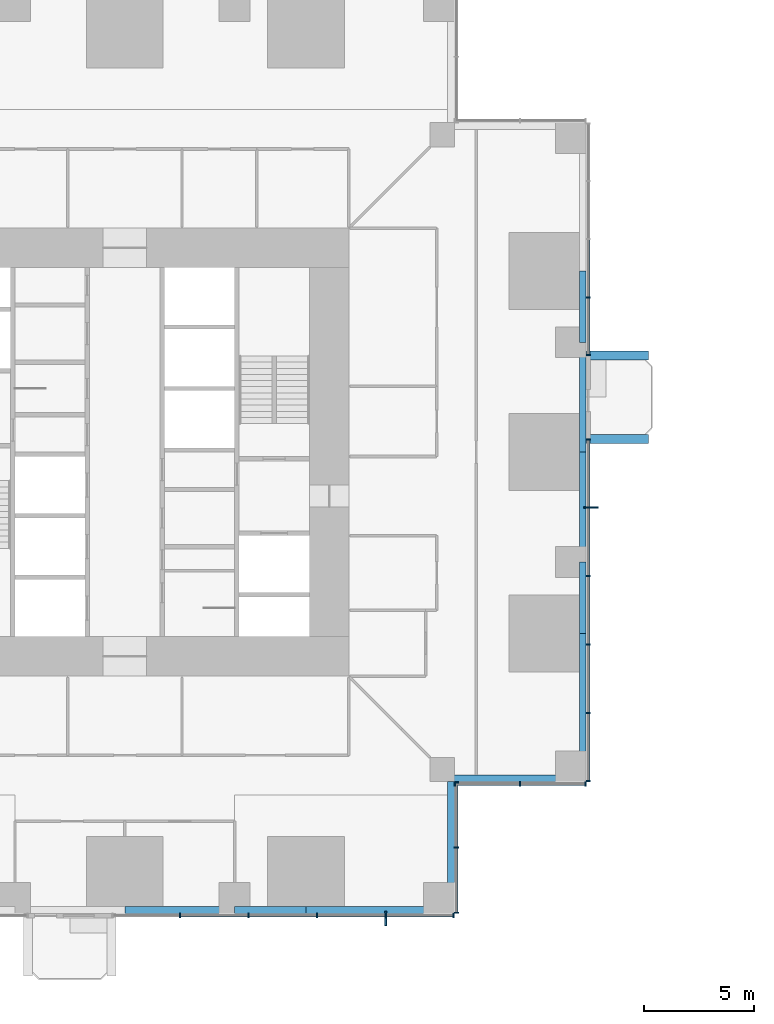
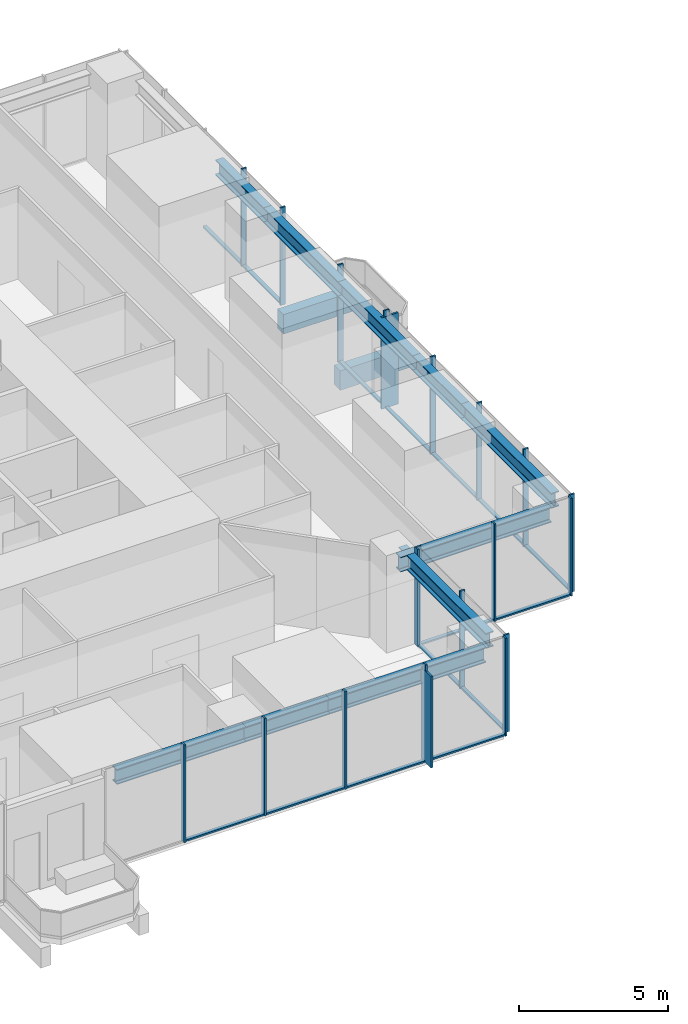
# One storey, part 3 of 16: 36 members, 12 beams, 5 elements without a shape of their own.
"""IFC4 building model written with IfcOpenShell, lengths in metres."""

from ifc_helpers import new_model, si_unit, direction, frame, origin, origin_2d, place, context, subcontext, project, spatial, rectangle, i_section, extrude, material, material_profile, profile_set, type_object, element, aggregate, save


model = new_model("IFC4")

# Units and contexts
model_context = context("Model", 3, precision=1e-05, world=origin(), true_north=direction((0.0, 1.0)))
body_context = subcontext(model_context, "Body", "Model", "MODEL_VIEW")
ifc_project = project(units=[si_unit("LENGTHUNIT", "METRE"), si_unit("AREAUNIT", "SQUARE_METRE"), si_unit("VOLUMEUNIT", "CUBIC_METRE"), si_unit("PLANEANGLEUNIT", "RADIAN"), si_unit("MASSUNIT", "GRAM", prefix="KILO")], contexts=[model_context])

# Site, building, storey
site_placement = place(None, origin())
site = spatial("IfcSite", under=ifc_project, at=site_placement, CompositionType="ELEMENT")
building_placement = place(site_placement, origin())
building = spatial("IfcBuilding", under=site, at=building_placement, Name="Svetlomir Tower", CompositionType="ELEMENT")
storey_placement = place(building_placement, frame((0.0, 0.0, 22.5)))
storey = spatial("IfcBuildingStorey", under=building, at=storey_placement, Name="L04", CompositionType="ELEMENT", Elevation=22.5)

# Beams
ifc_material_1 = material(Name="Concrete C60/75", Category="concrete")
ifc_material_profile_1 = material_profile(ifc_material_1, rectangle(XDim=0.39990234375, YDim=0.800048828125, at=origin_2d()), Name="RC 400x800")
ifc_profile_set_1 = profile_set([ifc_material_profile_1], Name="Concrete C60/75")
beam_type_1 = type_object("IfcBeamType", Name="BALCONY RIB RC 400x800", PredefinedType="BEAM", material=ifc_profile_set_1)
for number, where, z_axis, x_axis, name in (
    (1, (42.0, 21.60009765625, -0.64990234375), (1.0, 0.0, 0.0), (0.0, 1.0, 0.0), "Balcony rib E 1 L04"),
    (2, (42.0, 25.39990234375, -0.64990234375), (1.0, 0.0, 0.0), (0.0, 1.0, 0.0), "Balcony rib E 2 L04"),
):
    element("IfcBeam", number, at=place(storey_placement, frame(where, z_axis=z_axis, x_axis=x_axis)), inside=storey, type_object=beam_type_1, Name=name, PredefinedType="BEAM", context=body_context, shape_type="SweptSolid", body=[
        extrude(rectangle(XDim=0.39990234375, YDim=0.800048828125, at=origin_2d()), origin(), (0.0, 0.0, 1.0), 2.85009765625),
    ])

# Curtain wall, member
ifc_material_2 = material(Name="Bronze anodised aluminium curtain wall", Category="aluminium")
curtain_wall_type = type_object("IfcCurtainWallType", Name="CURTAIN WALL CW1 TOWER OFFICE", PredefinedType="NOTDEFINED", material=ifc_material_2)
curtain_wall_1_placement = place(storey_placement, origin())
curtain_wall_1 = element("IfcCurtainWall", 3, at=curtain_wall_1_placement, inside=storey, type_object=curtain_wall_type, Name="Curtain wall CW1 L04", PredefinedType="NOTDEFINED")
ifc_material_3 = material(Name="Bronze anodised aluminium", Category="aluminium")
ifc_material_profile_2 = material_profile(ifc_material_3, rectangle(XDim=0.080078125, YDim=0.64990234375, at=origin_2d()), Name="FIN 80x650")
ifc_profile_set_2 = profile_set([ifc_material_profile_2], Name="Bronze anodised aluminium 6063-T6")
member_type_1 = type_object("IfcMemberType", Name="BRONZE FIN 80x650", PredefinedType="USERDEFINED", material=ifc_profile_set_2)
member_1_placement = place(storey_placement, frame((32.8798828125, -0.22509765625, 0.0), z_axis=(0.0, 0.0, 1.0), x_axis=(1.0, 0.0, 0.0)))
member_1 = element("IfcMember", 4, at=member_1_placement, type_object=member_type_1, Name="Bronze fin L04", ObjectType="FIN", PredefinedType="USERDEFINED", context=body_context, shape_type="SweptSolid", body=[
    extrude(rectangle(XDim=0.080078125, YDim=0.64990234375, at=origin_2d()), origin(), (0.0, 0.0, 1.0), 3.75),
])

curtain_wall_2_placement = place(storey_placement, origin())
curtain_wall_2 = element("IfcCurtainWall", 5, at=curtain_wall_2_placement, inside=storey, type_object=curtain_wall_type, Name="Curtain wall CW1 L04", PredefinedType="NOTDEFINED")
member_2_placement = place(storey_placement, frame((42.22509765625, 18.47998046875, 0.0), z_axis=(0.0, 0.0, 1.0), x_axis=(0.0, 1.0, 0.0)))
member_2 = element("IfcMember", 6, at=member_2_placement, type_object=member_type_1, Name="Bronze fin L04", ObjectType="FIN", PredefinedType="USERDEFINED", context=body_context, shape_type="SweptSolid", body=[
    extrude(rectangle(XDim=0.080078125, YDim=0.64990234375, at=origin_2d()), origin(), (0.0, 0.0, 1.0), 3.75),
])

# Member
ifc_material_4 = material(Name="Bronze anodised aluminium", Category="aluminium")
ifc_material_profile_3 = material_profile(ifc_material_4, rectangle(XDim=0.06494140625, YDim=0.199951171875, at=origin_2d()), Name="AL 65x200")
ifc_profile_set_3 = profile_set([ifc_material_profile_3], Name="Bronze anodised aluminium 6063-T6")
member_type_2 = type_object("IfcMemberType", Name="CW1 MULLION 65x200", PredefinedType="MULLION", material=ifc_profile_set_3)
member_3_placement = place(storey_placement, frame((23.52001953125, -0.10009765625, 0.0), z_axis=(0.0, 0.0, 1.0), x_axis=(1.0, 0.0, 0.0)))
member_3 = element("IfcMember", 7, at=member_3_placement, type_object=member_type_2, Name="CW1 mullion 2", PredefinedType="MULLION", context=body_context, shape_type="SweptSolid", body=[
    extrude(rectangle(XDim=0.06494140625, YDim=0.199951171875, at=origin_2d()), origin(), (0.0, 0.0, 1.0), 4.0),
])

member_4_placement = place(storey_placement, frame((26.639892578125, -0.10009765625, 0.0), z_axis=(0.0, 0.0, 1.0), x_axis=(1.0, 0.0, 0.0)))
member_4 = element("IfcMember", 8, at=member_4_placement, type_object=member_type_2, Name="CW1 mullion 3", PredefinedType="MULLION", context=body_context, shape_type="SweptSolid", body=[
    extrude(rectangle(XDim=0.06494140625, YDim=0.199951171875, at=origin_2d()), origin(), (0.0, 0.0, 1.0), 4.0),
])

member_5_placement = place(storey_placement, frame((29.760009765625, -0.10009765625, 0.0), z_axis=(0.0, 0.0, 1.0), x_axis=(1.0, 0.0, 0.0)))
member_5 = element("IfcMember", 9, at=member_5_placement, type_object=member_type_2, Name="CW1 mullion 4", PredefinedType="MULLION", context=body_context, shape_type="SweptSolid", body=[
    extrude(rectangle(XDim=0.06494140625, YDim=0.199951171875, at=origin_2d()), origin(), (0.0, 0.0, 1.0), 4.0),
])

member_6_placement = place(storey_placement, frame((32.8798828125, -0.10009765625, 0.0), z_axis=(0.0, 0.0, 1.0), x_axis=(1.0, 0.0, 0.0)))
member_6 = element("IfcMember", 10, at=member_6_placement, type_object=member_type_2, Name="CW1 mullion 5", PredefinedType="MULLION", context=body_context, shape_type="SweptSolid", body=[
    extrude(rectangle(XDim=0.06494140625, YDim=0.199951171875, at=origin_2d()), origin(), (0.0, 0.0, 1.0), 4.0),
])

member_7_placement = place(storey_placement, frame((35.967529296875, -0.10009765625, 0.0), z_axis=(0.0, 0.0, 1.0), x_axis=(1.0, 0.0, 0.0)))
member_7 = element("IfcMember", 11, at=member_7_placement, type_object=member_type_2, Name="CW1 mullion 6", PredefinedType="MULLION", context=body_context, shape_type="SweptSolid", body=[
    extrude(rectangle(XDim=0.06494140625, YDim=0.199951171875, at=origin_2d()), origin(), (0.0, 0.0, 1.0), 4.0),
])

# Curtain wall, members
curtain_wall_3_placement = place(storey_placement, origin())
curtain_wall_3 = element("IfcCurtainWall", 12, at=curtain_wall_3_placement, inside=storey, type_object=curtain_wall_type, Name="Curtain wall CW1 L04", PredefinedType="NOTDEFINED")
member_8_placement = place(storey_placement, frame((36.10009765625, 0.032470703125, 0.0), z_axis=(0.0, 0.0, 1.0), x_axis=(0.0, 1.0, 0.0)))
member_8 = element("IfcMember", 13, at=member_8_placement, type_object=member_type_2, Name="CW1 mullion 1", PredefinedType="MULLION", context=body_context, shape_type="SweptSolid", body=[
    extrude(rectangle(XDim=0.06494140625, YDim=0.199951171875, at=origin_2d()), origin(), (0.0, 0.0, 1.0), 4.0),
])
member_9_placement = place(storey_placement, frame((36.10009765625, 3.0, 0.0), z_axis=(0.0, 0.0, 1.0), x_axis=(0.0, 1.0, 0.0)))
member_9 = element("IfcMember", 14, at=member_9_placement, type_object=member_type_2, Name="CW1 mullion 2", PredefinedType="MULLION", context=body_context, shape_type="SweptSolid", body=[
    extrude(rectangle(XDim=0.06494140625, YDim=0.199951171875, at=origin_2d()), origin(), (0.0, 0.0, 1.0), 4.0),
])
member_10_placement = place(storey_placement, frame((36.10009765625, 5.967529296875, 0.0), z_axis=(0.0, 0.0, 1.0), x_axis=(0.0, 1.0, 0.0)))
member_10 = element("IfcMember", 15, at=member_10_placement, type_object=member_type_2, Name="CW1 mullion 3", PredefinedType="MULLION", context=body_context, shape_type="SweptSolid", body=[
    extrude(rectangle(XDim=0.06494140625, YDim=0.199951171875, at=origin_2d()), origin(), (0.0, 0.0, 1.0), 4.0),
])

curtain_wall_4_placement = place(storey_placement, origin())
curtain_wall_4 = element("IfcCurtainWall", 16, at=curtain_wall_4_placement, inside=storey, type_object=curtain_wall_type, Name="Curtain wall CW1 L04", PredefinedType="NOTDEFINED")
member_11_placement = place(storey_placement, frame((36.032470703125, 5.89990234375, 0.0), z_axis=(0.0, 0.0, 1.0), x_axis=(1.0, 0.0, 0.0)))
member_11 = element("IfcMember", 17, at=member_11_placement, type_object=member_type_2, Name="CW1 mullion 1", PredefinedType="MULLION", context=body_context, shape_type="SweptSolid", body=[
    extrude(rectangle(XDim=0.06494140625, YDim=0.199951171875, at=origin_2d()), origin(), (0.0, 0.0, 1.0), 4.0),
])
member_12_placement = place(storey_placement, frame((39.0, 5.89990234375, 0.0), z_axis=(0.0, 0.0, 1.0), x_axis=(1.0, 0.0, 0.0)))
member_12 = element("IfcMember", 18, at=member_12_placement, type_object=member_type_2, Name="CW1 mullion 2", PredefinedType="MULLION", context=body_context, shape_type="SweptSolid", body=[
    extrude(rectangle(XDim=0.06494140625, YDim=0.199951171875, at=origin_2d()), origin(), (0.0, 0.0, 1.0), 4.0),
])
member_13_placement = place(storey_placement, frame((41.967529296875, 5.89990234375, 0.0), z_axis=(0.0, 0.0, 1.0), x_axis=(1.0, 0.0, 0.0)))
member_13 = element("IfcMember", 19, at=member_13_placement, type_object=member_type_2, Name="CW1 mullion 3", PredefinedType="MULLION", context=body_context, shape_type="SweptSolid", body=[
    extrude(rectangle(XDim=0.06494140625, YDim=0.199951171875, at=origin_2d()), origin(), (0.0, 0.0, 1.0), 4.0),
])

# Member
member_14_placement = place(storey_placement, frame((42.10009765625, 6.032470703125, 0.0), z_axis=(0.0, 0.0, 1.0), x_axis=(0.0, 1.0, 0.0)))
member_14 = element("IfcMember", 20, at=member_14_placement, type_object=member_type_2, Name="CW1 mullion 1", PredefinedType="MULLION", context=body_context, shape_type="SweptSolid", body=[
    extrude(rectangle(XDim=0.06494140625, YDim=0.199951171875, at=origin_2d()), origin(), (0.0, 0.0, 1.0), 4.0),
])

member_15_placement = place(storey_placement, frame((42.10009765625, 9.1201171875, 0.0), z_axis=(0.0, 0.0, 1.0), x_axis=(0.0, 1.0, 0.0)))
member_15 = element("IfcMember", 21, at=member_15_placement, type_object=member_type_2, Name="CW1 mullion 2", PredefinedType="MULLION", context=body_context, shape_type="SweptSolid", body=[
    extrude(rectangle(XDim=0.06494140625, YDim=0.199951171875, at=origin_2d()), origin(), (0.0, 0.0, 1.0), 4.0),
])

member_16_placement = place(storey_placement, frame((42.10009765625, 12.239990234375, 0.0), z_axis=(0.0, 0.0, 1.0), x_axis=(0.0, 1.0, 0.0)))
member_16 = element("IfcMember", 22, at=member_16_placement, type_object=member_type_2, Name="CW1 mullion 3", PredefinedType="MULLION", context=body_context, shape_type="SweptSolid", body=[
    extrude(rectangle(XDim=0.06494140625, YDim=0.199951171875, at=origin_2d()), origin(), (0.0, 0.0, 1.0), 4.0),
])

member_17_placement = place(storey_placement, frame((42.10009765625, 15.360107421875, 0.0), z_axis=(0.0, 0.0, 1.0), x_axis=(0.0, 1.0, 0.0)))
member_17 = element("IfcMember", 23, at=member_17_placement, type_object=member_type_2, Name="CW1 mullion 4", PredefinedType="MULLION", context=body_context, shape_type="SweptSolid", body=[
    extrude(rectangle(XDim=0.06494140625, YDim=0.199951171875, at=origin_2d()), origin(), (0.0, 0.0, 1.0), 4.0),
])

member_18_placement = place(storey_placement, frame((42.10009765625, 18.47998046875, 0.0), z_axis=(0.0, 0.0, 1.0), x_axis=(0.0, 1.0, 0.0)))
member_18 = element("IfcMember", 24, at=member_18_placement, type_object=member_type_2, Name="CW1 mullion 5", PredefinedType="MULLION", context=body_context, shape_type="SweptSolid", body=[
    extrude(rectangle(XDim=0.06494140625, YDim=0.199951171875, at=origin_2d()), origin(), (0.0, 0.0, 1.0), 4.0),
])

member_19_placement = place(storey_placement, frame((42.10009765625, 21.5673828125, 0.0), z_axis=(0.0, 0.0, 1.0), x_axis=(0.0, 1.0, 0.0)))
member_19 = element("IfcMember", 25, at=member_19_placement, type_object=member_type_2, Name="CW1 mullion 6", PredefinedType="MULLION", context=body_context, shape_type="SweptSolid", body=[
    extrude(rectangle(XDim=0.06494140625, YDim=0.199951171875, at=origin_2d()), origin(), (0.0, 0.0, 1.0), 4.0),
])

# Curtain wall, members
curtain_wall_5_placement = place(storey_placement, origin())
curtain_wall_5 = element("IfcCurtainWall", 26, at=curtain_wall_5_placement, inside=storey, type_object=curtain_wall_type, Name="Curtain wall CW1 L04", PredefinedType="NOTDEFINED")
member_20_placement = place(storey_placement, frame((42.10009765625, 25.4326171875, 0.0), z_axis=(0.0, 0.0, 1.0), x_axis=(0.0, 1.0, 0.0)))
member_20 = element("IfcMember", 27, at=member_20_placement, type_object=member_type_2, Name="CW1 mullion 1", PredefinedType="MULLION", context=body_context, shape_type="SweptSolid", body=[
    extrude(rectangle(XDim=0.06494140625, YDim=0.199951171875, at=origin_2d()), origin(), (0.0, 0.0, 1.0), 4.0),
])
member_21_placement = place(storey_placement, frame((42.10009765625, 28.050048828125, 0.0), z_axis=(0.0, 0.0, 1.0), x_axis=(0.0, 1.0, 0.0)))
member_21 = element("IfcMember", 28, at=member_21_placement, type_object=member_type_2, Name="CW1 mullion 2", PredefinedType="MULLION", context=body_context, shape_type="SweptSolid", body=[
    extrude(rectangle(XDim=0.06494140625, YDim=0.199951171875, at=origin_2d()), origin(), (0.0, 0.0, 1.0), 4.0),
])

# Member
ifc_material_5 = material(Name="Bronze anodised aluminium", Category="aluminium")
ifc_material_profile_4 = material_profile(ifc_material_5, rectangle(XDim=0.139892578125, YDim=0.06494140625, at=origin_2d()), Name="AL 140x65")
ifc_profile_set_4 = profile_set([ifc_material_profile_4], Name="Bronze anodised aluminium 6063-T6")
member_type_3 = type_object("IfcMemberType", Name="CW1 TRANSOM 65x140", PredefinedType="USERDEFINED", material=ifc_profile_set_4)
member_22_placement = place(storey_placement, frame((23.552490234375, -0.10009765625, 0.032470703125), z_axis=(1.0, 0.0, 0.0), x_axis=(0.0, 1.0, 0.0)))
member_22 = element("IfcMember", 29, at=member_22_placement, type_object=member_type_3, Name="CW1 transom 2.1", ObjectType="TRANSOM", PredefinedType="USERDEFINED", context=body_context, shape_type="SweptSolid", body=[
    extrude(rectangle(XDim=0.139892578125, YDim=0.06494140625, at=origin_2d()), origin(), (0.0, 0.0, 1.0), 3.054931640625),
])

member_23_placement = place(storey_placement, frame((26.672607421875, -0.10009765625, 0.032470703125), z_axis=(1.0, 0.0, 0.0), x_axis=(0.0, 1.0, 0.0)))
member_23 = element("IfcMember", 30, at=member_23_placement, type_object=member_type_3, Name="CW1 transom 3.1", ObjectType="TRANSOM", PredefinedType="USERDEFINED", context=body_context, shape_type="SweptSolid", body=[
    extrude(rectangle(XDim=0.139892578125, YDim=0.06494140625, at=origin_2d()), origin(), (0.0, 0.0, 1.0), 3.054931640625),
])

member_24_placement = place(storey_placement, frame((29.79248046875, -0.10009765625, 0.032470703125), z_axis=(1.0, 0.0, 0.0), x_axis=(0.0, 1.0, 0.0)))
member_24 = element("IfcMember", 31, at=member_24_placement, type_object=member_type_3, Name="CW1 transom 4.1", ObjectType="TRANSOM", PredefinedType="USERDEFINED", context=body_context, shape_type="SweptSolid", body=[
    extrude(rectangle(XDim=0.139892578125, YDim=0.06494140625, at=origin_2d()), origin(), (0.0, 0.0, 1.0), 3.054931640625),
])

member_25_placement = place(storey_placement, frame((32.91259765625, -0.10009765625, 0.032470703125), z_axis=(1.0, 0.0, 0.0), x_axis=(0.0, 1.0, 0.0)))
member_25 = element("IfcMember", 32, at=member_25_placement, type_object=member_type_3, Name="CW1 transom 5.1", ObjectType="TRANSOM", PredefinedType="USERDEFINED", context=body_context, shape_type="SweptSolid", body=[
    extrude(rectangle(XDim=0.139892578125, YDim=0.06494140625, at=origin_2d()), origin(), (0.0, 0.0, 1.0), 3.0224609375),
])

aggregate(curtain_wall_1, [member_3, member_4, member_5, member_6, member_7, member_22, member_23, member_24, member_25, member_1])

member_26_placement = place(storey_placement, frame((36.10009765625, 0.06494140625, 0.032470703125), z_axis=(0.0, 1.0, 0.0), x_axis=(-1.0, 0.0, 0.0)))
member_26 = element("IfcMember", 33, at=member_26_placement, type_object=member_type_3, Name="CW1 transom 1.1", ObjectType="TRANSOM", PredefinedType="USERDEFINED", context=body_context, shape_type="SweptSolid", body=[
    extrude(rectangle(XDim=0.139892578125, YDim=0.06494140625, at=origin_2d()), origin(), (0.0, 0.0, 1.0), 2.902587890625),
])

member_27_placement = place(storey_placement, frame((36.10009765625, 3.032470703125, 0.032470703125), z_axis=(0.0, 1.0, 0.0), x_axis=(-1.0, 0.0, 0.0)))
member_27 = element("IfcMember", 34, at=member_27_placement, type_object=member_type_3, Name="CW1 transom 2.1", ObjectType="TRANSOM", PredefinedType="USERDEFINED", context=body_context, shape_type="SweptSolid", body=[
    extrude(rectangle(XDim=0.139892578125, YDim=0.06494140625, at=origin_2d()), origin(), (0.0, 0.0, 1.0), 2.902587890625),
])

aggregate(curtain_wall_3, [member_8, member_9, member_10, member_26, member_27])

member_28_placement = place(storey_placement, frame((36.06494140625, 5.89990234375, 0.032470703125), z_axis=(1.0, 0.0, 0.0), x_axis=(0.0, 1.0, 0.0)))
member_28 = element("IfcMember", 35, at=member_28_placement, type_object=member_type_3, Name="CW1 transom 1.1", ObjectType="TRANSOM", PredefinedType="USERDEFINED", context=body_context, shape_type="SweptSolid", body=[
    extrude(rectangle(XDim=0.139892578125, YDim=0.06494140625, at=origin_2d()), origin(), (0.0, 0.0, 1.0), 2.902587890625),
])

member_29_placement = place(storey_placement, frame((39.032470703125, 5.89990234375, 0.032470703125), z_axis=(1.0, 0.0, 0.0), x_axis=(0.0, 1.0, 0.0)))
member_29 = element("IfcMember", 36, at=member_29_placement, type_object=member_type_3, Name="CW1 transom 2.1", ObjectType="TRANSOM", PredefinedType="USERDEFINED", context=body_context, shape_type="SweptSolid", body=[
    extrude(rectangle(XDim=0.139892578125, YDim=0.06494140625, at=origin_2d()), origin(), (0.0, 0.0, 1.0), 2.902587890625),
])

aggregate(curtain_wall_4, [member_11, member_12, member_13, member_28, member_29])

member_30_placement = place(storey_placement, frame((42.10009765625, 6.06494140625, 0.032470703125), z_axis=(0.0, 1.0, 0.0), x_axis=(-1.0, 0.0, 0.0)))
member_30 = element("IfcMember", 37, at=member_30_placement, type_object=member_type_3, Name="CW1 transom 1.1", ObjectType="TRANSOM", PredefinedType="USERDEFINED", context=body_context, shape_type="SweptSolid", body=[
    extrude(rectangle(XDim=0.139892578125, YDim=0.06494140625, at=origin_2d()), origin(), (0.0, 0.0, 1.0), 3.0224609375),
])

member_31_placement = place(storey_placement, frame((42.10009765625, 9.152587890625, 0.032470703125), z_axis=(0.0, 1.0, 0.0), x_axis=(-1.0, 0.0, 0.0)))
member_31 = element("IfcMember", 38, at=member_31_placement, type_object=member_type_3, Name="CW1 transom 2.1", ObjectType="TRANSOM", PredefinedType="USERDEFINED", context=body_context, shape_type="SweptSolid", body=[
    extrude(rectangle(XDim=0.139892578125, YDim=0.06494140625, at=origin_2d()), origin(), (0.0, 0.0, 1.0), 3.054931640625),
])

member_32_placement = place(storey_placement, frame((42.10009765625, 12.2724609375, 0.032470703125), z_axis=(0.0, 1.0, 0.0), x_axis=(-1.0, 0.0, 0.0)))
member_32 = element("IfcMember", 39, at=member_32_placement, type_object=member_type_3, Name="CW1 transom 3.1", ObjectType="TRANSOM", PredefinedType="USERDEFINED", context=body_context, shape_type="SweptSolid", body=[
    extrude(rectangle(XDim=0.139892578125, YDim=0.06494140625, at=origin_2d()), origin(), (0.0, 0.0, 1.0), 3.054931640625),
])

member_33_placement = place(storey_placement, frame((42.10009765625, 15.392578125, 0.032470703125), z_axis=(0.0, 1.0, 0.0), x_axis=(-1.0, 0.0, 0.0)))
member_33 = element("IfcMember", 40, at=member_33_placement, type_object=member_type_3, Name="CW1 transom 4.1", ObjectType="TRANSOM", PredefinedType="USERDEFINED", context=body_context, shape_type="SweptSolid", body=[
    extrude(rectangle(XDim=0.139892578125, YDim=0.06494140625, at=origin_2d()), origin(), (0.0, 0.0, 1.0), 3.054931640625),
])

member_34_placement = place(storey_placement, frame((42.10009765625, 18.512451171875, 0.032470703125), z_axis=(0.0, 1.0, 0.0), x_axis=(-1.0, 0.0, 0.0)))
member_34 = element("IfcMember", 41, at=member_34_placement, type_object=member_type_3, Name="CW1 transom 5.1", ObjectType="TRANSOM", PredefinedType="USERDEFINED", context=body_context, shape_type="SweptSolid", body=[
    extrude(rectangle(XDim=0.139892578125, YDim=0.06494140625, at=origin_2d()), origin(), (0.0, 0.0, 1.0), 3.0224609375),
])

aggregate(curtain_wall_2, [member_14, member_15, member_16, member_17, member_18, member_19, member_30, member_31, member_32, member_33, member_34, member_2])

member_35_placement = place(storey_placement, frame((42.10009765625, 25.465087890625, 0.032470703125), z_axis=(0.0, 1.0, 0.0), x_axis=(-1.0, 0.0, 0.0)))
member_35 = element("IfcMember", 42, at=member_35_placement, type_object=member_type_3, Name="CW1 transom 1.1", ObjectType="TRANSOM", PredefinedType="USERDEFINED", context=body_context, shape_type="SweptSolid", body=[
    extrude(rectangle(XDim=0.139892578125, YDim=0.06494140625, at=origin_2d()), origin(), (0.0, 0.0, 1.0), 2.552490234375),
])

member_36_placement = place(storey_placement, frame((42.10009765625, 28.08251953125, 0.032470703125), z_axis=(0.0, 1.0, 0.0), x_axis=(-1.0, 0.0, 0.0)))
member_36 = element("IfcMember", 43, at=member_36_placement, type_object=member_type_3, Name="CW1 transom 2.1", ObjectType="TRANSOM", PredefinedType="USERDEFINED", context=body_context, shape_type="SweptSolid", body=[
    extrude(rectangle(XDim=0.139892578125, YDim=0.06494140625, at=origin_2d()), origin(), (0.0, 0.0, 1.0), 2.5849609375),
])

aggregate(curtain_wall_5, [member_20, member_21, member_35, member_36])

# Beams
ifc_material_6 = material(Name="Steel S355", Category="steel")
ifc_material_profile_5 = material_profile(ifc_material_6, i_section(OverallWidth=0.304931640625, OverallDepth=0.6201171875, WebThickness=0.02099609375, FlangeThickness=0.0400390625, FilletRadius=0.027099609375, at=origin_2d()), Name="HEM 600")
ifc_profile_set_5 = profile_set([ifc_material_profile_5], Name="Steel S355")
beam_type_2 = type_object("IfcBeamType", Name="EDGE BEAM HEM 600", PredefinedType="SPANDREL", material=ifc_profile_set_5)
beam_1_placement = place(storey_placement, frame((41.847412109375, 6.699951171875, 3.43994140625), z_axis=(0.0, 1.0, 0.0), x_axis=(-1.0, 0.0, 0.0)))
element("IfcBeam", 44, at=beam_1_placement, inside=storey, type_object=beam_type_2, Name="Edge beam 42/6 to 42/11 under L05", PredefinedType="SPANDREL", context=body_context, shape_type="SweptSolid", body=[
    extrude(i_section(OverallWidth=0.304931640625, OverallDepth=0.6201171875, WebThickness=0.02099609375, FlangeThickness=0.0400390625, FilletRadius=0.027099609375, at=origin_2d()), origin(), (0.0, 0.0, 1.0), 6.050048828125),
])
beam_2_placement = place(storey_placement, frame((41.847412109375, 12.75, 3.43994140625), z_axis=(0.0, 1.0, 0.0), x_axis=(-1.0, 0.0, 0.0)))
element("IfcBeam", 45, at=beam_2_placement, inside=storey, type_object=beam_type_2, Name="Edge beam 42/11 to 42/16 under L05", PredefinedType="SPANDREL", context=body_context, shape_type="SweptSolid", body=[
    extrude(i_section(OverallWidth=0.304931640625, OverallDepth=0.6201171875, WebThickness=0.02099609375, FlangeThickness=0.0400390625, FilletRadius=0.027099609375, at=origin_2d()), origin(), (0.0, 0.0, 1.0), 3.25),
])
for number, where, z_axis, x_axis, name in (
    (46, (41.847412109375, 16.0, 3.43994140625), (0.0, 1.0, 0.0), (-1.0, 0.0, 0.0), "Edge beam 42/16 to 42/21 under L05"),
    (47, (21.0, 0.152587890625, 3.43994140625), (1.0, 0.0, 0.0), (0.0, 1.0, 0.0), "Edge beam 21/0 to 26/0 under L05"),
    (48, (41.847412109375, 21.0, 3.43994140625), (0.0, 1.0, 0.0), (-1.0, 0.0, 0.0), "Edge beam 42/21 to 42/26 under L05"),
):
    element("IfcBeam", number, at=place(storey_placement, frame(where, z_axis=z_axis, x_axis=x_axis)), inside=storey, type_object=beam_type_2, Name=name, PredefinedType="SPANDREL", context=body_context, shape_type="SweptSolid", body=[
        extrude(i_section(OverallWidth=0.304931640625, OverallDepth=0.6201171875, WebThickness=0.02099609375, FlangeThickness=0.0400390625, FilletRadius=0.027099609375, at=origin_2d()), origin(), (0.0, 0.0, 1.0), 5.0),
    ])
for number, where, z_axis, x_axis, name in (
    (49, (26.0, 0.152587890625, 3.43994140625), (1.0, 0.0, 0.0), (0.0, 1.0, 0.0), "Edge beam 26/0 to 31/0 under L05"),
    (50, (41.847412109375, 26.0, 3.43994140625), (0.0, 1.0, 0.0), (-1.0, 0.0, 0.0), "Edge beam 42/26 to 42/31 under L05"),
):
    element("IfcBeam", number, at=place(storey_placement, frame(where, z_axis=z_axis, x_axis=x_axis)), inside=storey, type_object=beam_type_2, Name=name, PredefinedType="SPANDREL", context=body_context, shape_type="SweptSolid", body=[
        extrude(i_section(OverallWidth=0.304931640625, OverallDepth=0.6201171875, WebThickness=0.02099609375, FlangeThickness=0.0400390625, FilletRadius=0.027099609375, at=origin_2d()), origin(), (0.0, 0.0, 1.0), 3.25),
    ])
beam_3_placement = place(storey_placement, frame((29.25, 0.152587890625, 3.43994140625), z_axis=(1.0, 0.0, 0.0), x_axis=(0.0, 1.0, 0.0)))
element("IfcBeam", 51, at=beam_3_placement, inside=storey, type_object=beam_type_2, Name="Edge beam 31/0 to 36/0 under L05", PredefinedType="SPANDREL", context=body_context, shape_type="SweptSolid", body=[
    extrude(i_section(OverallWidth=0.304931640625, OverallDepth=0.6201171875, WebThickness=0.02099609375, FlangeThickness=0.0400390625, FilletRadius=0.027099609375, at=origin_2d()), origin(), (0.0, 0.0, 1.0), 6.050048828125),
])
for number, where, z_axis, x_axis, name in (
    (52, (35.847412109375, 0.699951171875, 3.43994140625), (0.0, 1.0, 0.0), (-1.0, 0.0, 0.0), "Edge beam 36/0 to 36/6 under L05"),
    (53, (41.300048828125, 6.152587890625, 3.43994140625), (-1.0, 0.0, 0.0), (0.0, -1.0, 0.0), "Edge beam 42/6 to 36/6 under L05"),
):
    element("IfcBeam", number, at=place(storey_placement, frame(where, z_axis=z_axis, x_axis=x_axis)), inside=storey, type_object=beam_type_2, Name=name, PredefinedType="SPANDREL", context=body_context, shape_type="SweptSolid", body=[
        extrude(i_section(OverallWidth=0.304931640625, OverallDepth=0.6201171875, WebThickness=0.02099609375, FlangeThickness=0.0400390625, FilletRadius=0.027099609375, at=origin_2d()), origin(), (0.0, 0.0, 1.0), 5.85009765625),
    ])

save(model, "model.ifc")
